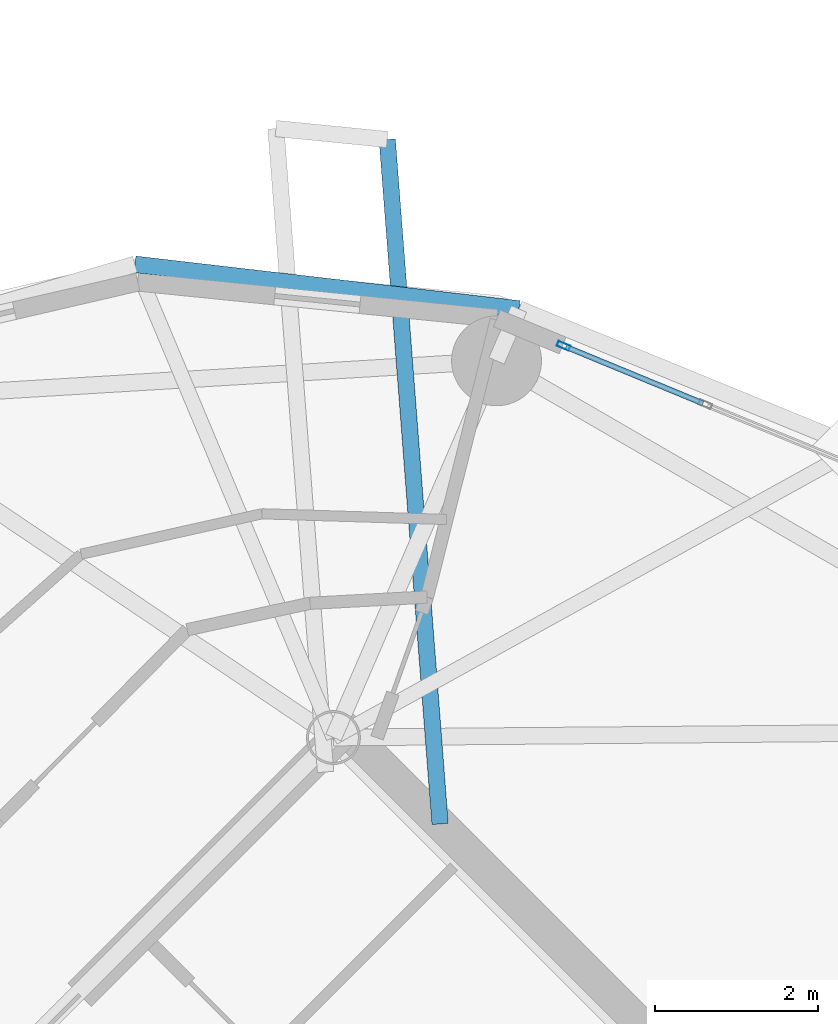
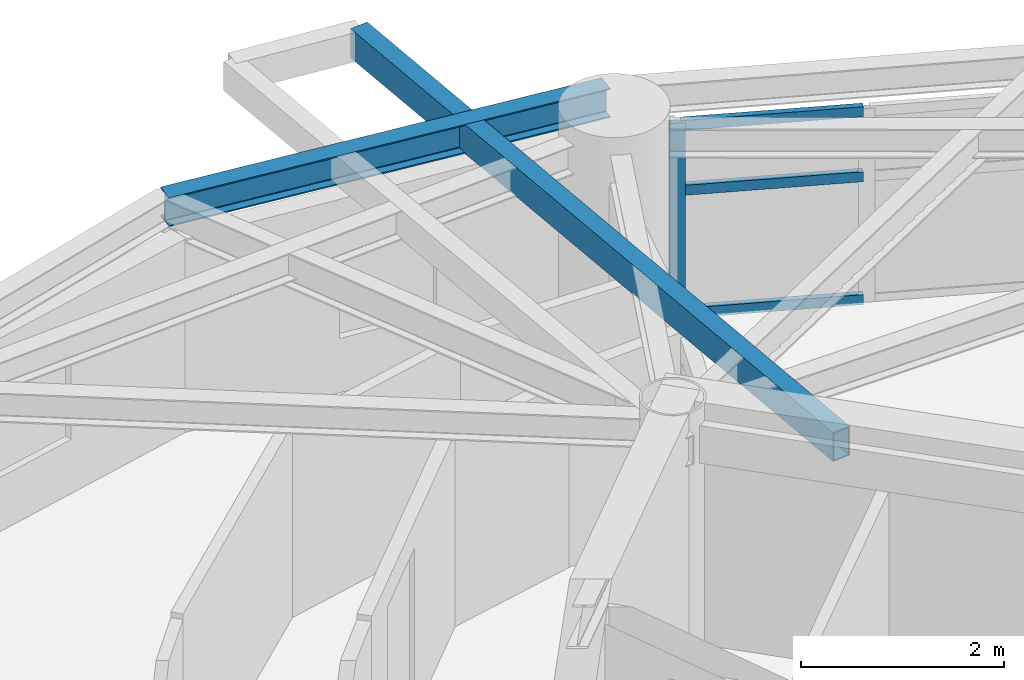
# One storey, part 5 of 16: 4 members, 2 beams, 1 element without a shape of its own.
"""IFC4 building model written with IfcOpenShell, lengths in metres."""

from ifc_helpers import new_model, si_unit, direction, frame, origin, origin_2d, place, context, subcontext, project, spatial, hollow_rectangle, i_section, extrude, material, layer, layer_set, material_profile, profile_set, type_object, element, aggregate, save


model = new_model("IFC4")

# Units and contexts
model_context = context("Model", 3, precision=1e-05, world=origin(), true_north=direction((0.0, 1.0)))
body_context = subcontext(model_context, "Body", "Model", "MODEL_VIEW")
ifc_project = project(units=[si_unit("LENGTHUNIT", "METRE"), si_unit("AREAUNIT", "SQUARE_METRE"), si_unit("VOLUMEUNIT", "CUBIC_METRE"), si_unit("PLANEANGLEUNIT", "RADIAN"), si_unit("MASSUNIT", "GRAM", prefix="KILO")], contexts=[model_context])

# Site, building, storey
site_placement = place(None, origin())
site = spatial("IfcSite", under=ifc_project, at=site_placement, CompositionType="ELEMENT")
building_placement = place(site_placement, origin())
building = spatial("IfcBuilding", under=site, at=building_placement, Name="Cununo Teusaquillo Station Towers", CompositionType="ELEMENT")
storey_placement = place(building_placement, frame((0.0, 0.0, 219.93994140625)))
storey = spatial("IfcBuildingStorey", under=building, at=storey_placement, Name="L70", CompositionType="ELEMENT", Elevation=219.93994140625)

# Beams
ifc_material_1 = material(Name="Steel EN 10025-2 S355J2", Category="steel")
ifc_material_profile_1 = material_profile(ifc_material_1, hollow_rectangle(XDim=0.199951171875, YDim=0.35009765625, WallThickness=0.013916015625, at=origin_2d()), Name="RHS 350x200x14")
ifc_profile_set_1 = profile_set([ifc_material_profile_1], Name="Steel EN 10025-2 S355J2")
beam_type_1 = type_object("IfcBeamType", Name="BM-BAL-CANT", PredefinedType="BEAM", material=ifc_profile_set_1)
beam_1_placement = place(storey_placement, frame((57.599853515625, 31.966064453125, 2.525146484375), z_axis=(-0.076963106063, 0.997033941401, 0.0), x_axis=(-0.997033941401, -0.076963106063, 0.0)))
element("IfcBeam", 1, at=beam_1_placement, inside=storey, type_object=beam_type_1, Name="L70 Tower B Balcony Cantilever Bracket 1A", PredefinedType="BEAM", context=body_context, shape_type="SweptSolid", body=[
    extrude(hollow_rectangle(XDim=0.199951171875, YDim=0.35009765625, WallThickness=0.013916015625, at=origin_2d()), origin(), (0.0, 0.0, 1.0), 8.403076171875),
])
ifc_material_2 = material(Name="Steel ASTM A572 Grade 50", Category="steel")
ifc_material_profile_2 = material_profile(ifc_material_2, i_section(OverallWidth=0.2041015625, OverallDepth=0.35009765625, WebThickness=0.008544921875, FlangeThickness=0.01513671875, FilletRadius=0.011962890625, at=origin_2d()), Name="W14X48")
ifc_profile_set_2 = profile_set([ifc_material_profile_2], Name="Steel ASTM A572 Grade 50")
beam_type_2 = type_object("IfcBeamType", Name="BM-RING-Z4", PredefinedType="SPANDREL", material=ifc_profile_set_2)
beam_2_placement = place(storey_placement, frame((58.56591796875, 38.27001953125, 2.525146484375), z_axis=(-0.993313022334, 0.115452326356, 0.0), x_axis=(-0.115452326356, -0.993313022334, 0.0)))
element("IfcBeam", 2, at=beam_2_placement, inside=storey, type_object=beam_type_2, Name="L70 Tower B Spandrel Ring Beam 03", PredefinedType="SPANDREL", context=body_context, shape_type="SweptSolid", body=[
    extrude(i_section(OverallWidth=0.2041015625, OverallDepth=0.35009765625, WebThickness=0.008544921875, FlangeThickness=0.01513671875, FilletRadius=0.011962890625, at=origin_2d()), origin(), (0.0, 0.0, 1.0), 4.732666015625),
])

# Curtain wall, members
ifc_material_3 = material(Name="Ceramic-fritted dark low-E double glazing", Category="glass")
ifc_layer = layer(ifc_material_3, 0.179931640625)
ifc_layer_set = layer_set([ifc_layer], Name="Ceramic-fritted dark low-E double glazing")
curtain_wall_type = type_object("IfcCurtainWallType", Name="CW-SYS-07", PredefinedType="USERDEFINED", material=ifc_layer_set)
curtain_wall_placement = place(storey_placement, origin())
curtain_wall = element("IfcCurtainWall", 3, at=curtain_wall_placement, inside=storey, type_object=curtain_wall_type, Name="L70 Tower B Facade Curtain Wall C01", ObjectType="FRITTED GLAZING", PredefinedType="USERDEFINED")
ifc_material_4 = material(Name="Anodised dark bronze aluminium EN AW-6063-T6", Category="aluminium")
ifc_material_profile_3 = material_profile(ifc_material_4, hollow_rectangle(XDim=0.06494140625, YDim=0.159912109375, WallThickness=0.00390625, at=origin_2d()), Name="CW-MULL-65x160")
ifc_profile_set_3 = profile_set([ifc_material_profile_3], Name="Anodised dark bronze aluminium EN AW-6063-T6")
member_type_1 = type_object("IfcMemberType", Name="CWM-160", PredefinedType="MULLION", material=ifc_profile_set_3)
member_1_placement = place(storey_placement, frame((59.111328125, 37.818359375, 0.0), z_axis=(0.0, 0.0, 1.0), x_axis=(0.381310513086, 0.924447019904, 0.0)))
member_1 = element("IfcMember", 4, at=member_1_placement, type_object=member_type_1, Name="CW-07 mullion 1", PredefinedType="MULLION", context=body_context, shape_type="SweptSolid", body=[
    extrude(hollow_rectangle(XDim=0.06494140625, YDim=0.159912109375, WallThickness=0.00390625, at=origin_2d()), origin(), (0.0, 0.0, 1.0), 2.322021484375),
])
ifc_material_5 = material(Name="Anodised dark bronze aluminium EN AW-6063-T6", Category="aluminium")
ifc_material_profile_4 = material_profile(ifc_material_5, hollow_rectangle(XDim=0.06494140625, YDim=0.1201171875, WallThickness=0.00390625, at=origin_2d()), Name="CW-TRAN-65x120")
ifc_profile_set_4 = profile_set([ifc_material_profile_4], Name="Anodised dark bronze aluminium EN AW-6063-T6")
member_type_2 = type_object("IfcMemberType", Name="CWT-120", PredefinedType="USERDEFINED", material=ifc_profile_set_4)
member_2_placement = place(storey_placement, frame((59.141357421875, 37.805908203125, 0.032470703125), z_axis=(0.924457591038, -0.381284883483, 0.0), x_axis=(0.381284883483, 0.924457591038, 0.0)))
member_2 = element("IfcMember", 5, at=member_2_placement, type_object=member_type_2, Name="CW-07 transom 1.1", ObjectType="TRANSOM", PredefinedType="USERDEFINED", context=body_context, shape_type="SweptSolid", body=[
    extrude(hollow_rectangle(XDim=0.06494140625, YDim=0.1201171875, WallThickness=0.00390625, at=origin_2d()), origin(), (0.0, 0.0, 1.0), 1.812744140625),
])
member_3_placement = place(storey_placement, frame((59.141357421875, 37.805908203125, 1.509033203125), z_axis=(0.924457591038, -0.381284883483, 0.0), x_axis=(0.381284883483, 0.924457591038, 0.0)))
member_3 = element("IfcMember", 6, at=member_3_placement, type_object=member_type_2, Name="CW-07 transom 1.2", ObjectType="TRANSOM", PredefinedType="USERDEFINED", context=body_context, shape_type="SweptSolid", body=[
    extrude(hollow_rectangle(XDim=0.06494140625, YDim=0.1201171875, WallThickness=0.00390625, at=origin_2d()), origin(), (0.0, 0.0, 1.0), 1.812744140625),
])
member_4_placement = place(storey_placement, frame((59.141357421875, 37.805908203125, 2.28955078125), z_axis=(0.924457591038, -0.381284883483, 0.0), x_axis=(0.381284883483, 0.924457591038, 0.0)))
member_4 = element("IfcMember", 7, at=member_4_placement, type_object=member_type_2, Name="CW-07 transom 1.3", ObjectType="TRANSOM", PredefinedType="USERDEFINED", context=body_context, shape_type="SweptSolid", body=[
    extrude(hollow_rectangle(XDim=0.06494140625, YDim=0.1201171875, WallThickness=0.00390625, at=origin_2d()), origin(), (0.0, 0.0, 1.0), 1.812744140625),
])
aggregate(curtain_wall, [member_1, member_2, member_3, member_4])

save(model, "model.ifc")
